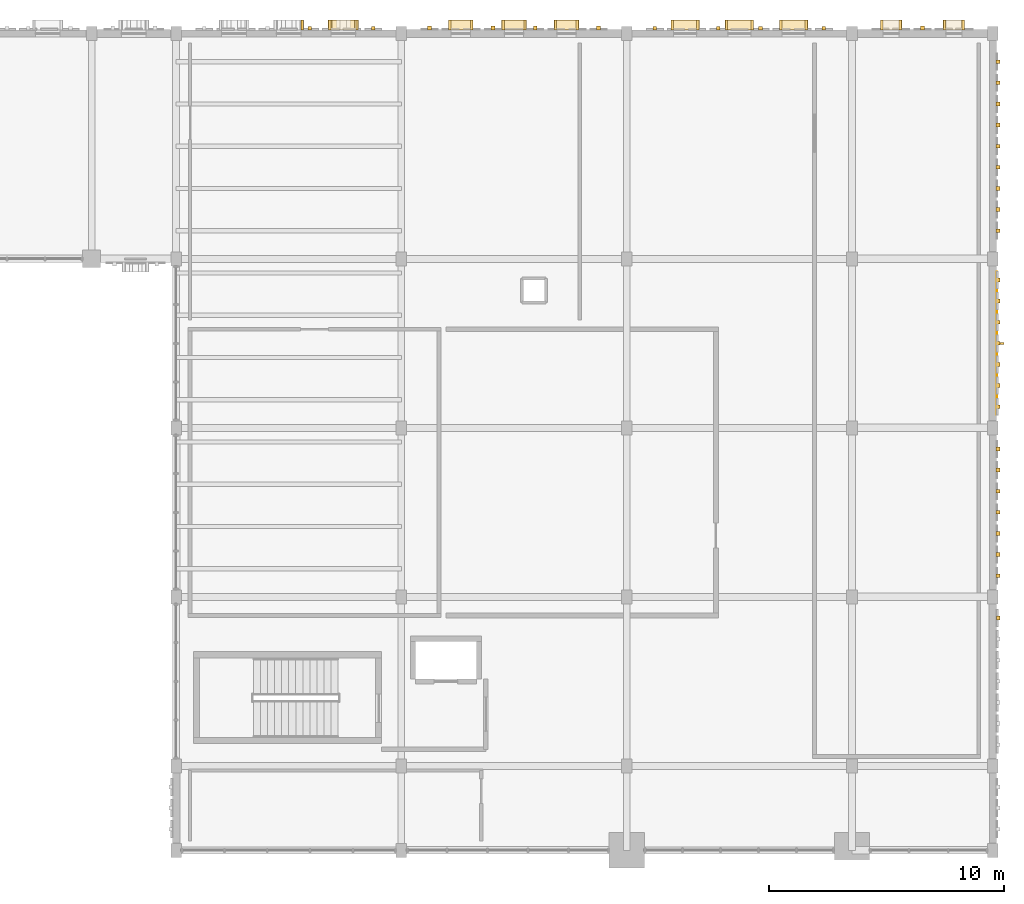
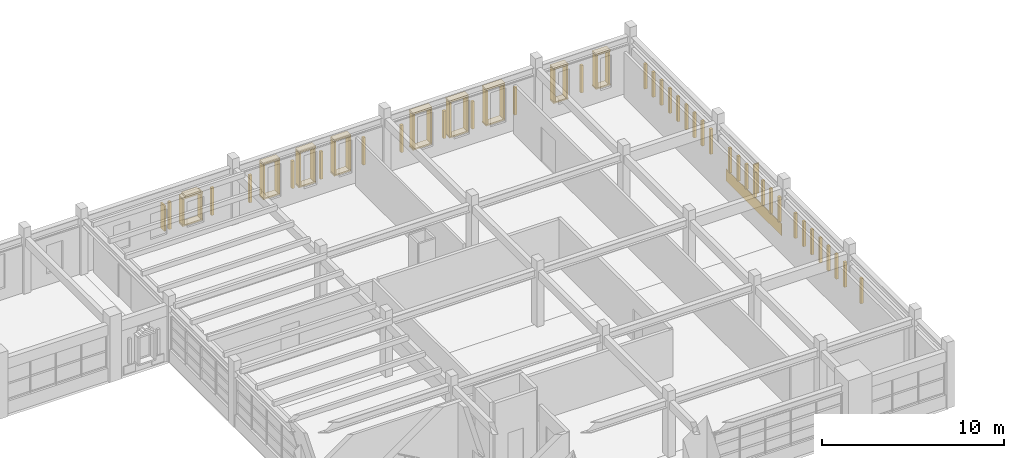
# One storey, part 63 of 69: 74 coverings, 1 shading device.
"""IFC4 building model written with IfcOpenShell, lengths in metres."""

from ifc_helpers import new_model, si_unit, direction, frame, origin, origin_2d, place, context, subcontext, project, spatial, rectangle, extrude, material, layer, layer_set, type_object, element, save


model = new_model("IFC4")

# Units and contexts
model_context = context("Model", 3, precision=1e-05, world=origin(), true_north=direction((0.0, 1.0)))
body_context = subcontext(model_context, "Body", "Model", "MODEL_VIEW")
ifc_project = project(units=[si_unit("LENGTHUNIT", "METRE"), si_unit("AREAUNIT", "SQUARE_METRE"), si_unit("VOLUMEUNIT", "CUBIC_METRE"), si_unit("PLANEANGLEUNIT", "RADIAN"), si_unit("MASSUNIT", "GRAM", prefix="KILO")], contexts=[model_context])

# Site, building, storey
site_placement = place(None, origin())
site = spatial("IfcSite", under=ifc_project, at=site_placement, CompositionType="ELEMENT")
building_placement = place(site_placement, origin())
building = spatial("IfcBuilding", under=site, at=building_placement, Name="Nzembalo Square Collegiate School", CompositionType="ELEMENT")
storey_placement = place(building_placement, frame((0.0, 0.0, 5.10009765625)))
storey = spatial("IfcBuildingStorey", under=building, at=storey_placement, Name="L01", CompositionType="ELEMENT", Elevation=5.10009765625)

# Coverings
ifc_material_1 = material(Name="Glazed cobalt ceramic patterned tile")
ifc_layer_1 = layer(ifc_material_1, 0.074951171875, Name="Glazed cobalt ceramic patterned tile")
ifc_layer_set_1 = layer_set([ifc_layer_1], Name="Glazed cobalt ceramic patterned tile")
covering_type_1 = type_object("IfcCoveringType", Name="CL01", PredefinedType="CLADDING", material=ifc_layer_set_1)
covering_1_placement = place(storey_placement, frame((165.77490234375, 100.800048828125, 0.02001953125), z_axis=(0.0, 0.0, 1.0), x_axis=(1.0, 0.0, 0.0)))
element("IfcCovering", 1, at=covering_1_placement, inside=storey, type_object=covering_type_1, Name="Faience spandrel cladding CL01-0140", PredefinedType="CLADDING", context=body_context, shape_type="SweptSolid", body=[
    extrude(rectangle(XDim=0.034912109375, YDim=6.095947265625, at=origin_2d()), origin(), (0.0, 0.0, 1.0), 0.800048828125),
])
ifc_material_2 = material(Name="Glazed ochre ceramic lancet rib")
ifc_layer_2 = layer(ifc_material_2, 0.159912109375, Name="Glazed ochre ceramic lancet rib")
ifc_layer_set_2 = layer_set([ifc_layer_2], Name="Glazed ochre ceramic lancet rib")
covering_type_2 = type_object("IfcCoveringType", Name="CL02", PredefinedType="CLADDING", material=ifc_layer_set_2)
for number, where, z_axis, x_axis, name in (
    (2, (136.5, 114.219970703125, 0.760009765625), (0.0, 0.0, 1.0), (1.0, 0.0, 0.0), "Gothic ceramic rib CL02-X0133-5"),
    (3, (139.199951171875, 114.219970703125, 0.760009765625), (0.0, 0.0, 1.0), (1.0, 0.0, 0.0), "Gothic ceramic rib CL02-X0133-8"),
    (4, (141.60009765625, 114.22998046875, 0.760009765625), (0.0, 0.0, 1.0), (1.0, 0.0, 0.0), "Gothic ceramic rib CL02-X0134-0"),
    (5, (144.300048828125, 114.22998046875, 0.760009765625), (0.0, 0.0, 1.0), (1.0, 0.0, 0.0), "Gothic ceramic rib CL02-X0134-3"),
    (6, (146.10009765625, 114.22998046875, 0.760009765625), (0.0, 0.0, 1.0), (1.0, 0.0, 0.0), "Gothic ceramic rib CL02-X0134-5"),
    (7, (148.800048828125, 114.22998046875, 0.760009765625), (0.0, 0.0, 1.0), (1.0, 0.0, 0.0), "Gothic ceramic rib CL02-X0134-8"),
    (8, (151.199951171875, 114.219970703125, 0.760009765625), (0.0, 0.0, 1.0), (1.0, 0.0, 0.0), "Gothic ceramic rib CL02-X0135-0"),
    (9, (153.89990234375, 114.219970703125, 0.760009765625), (0.0, 0.0, 1.0), (1.0, 0.0, 0.0), "Gothic ceramic rib CL02-X0135-3"),
    (10, (155.699951171875, 114.219970703125, 0.760009765625), (0.0, 0.0, 1.0), (1.0, 0.0, 0.0), "Gothic ceramic rib CL02-X0135-5"),
    (11, (158.39990234375, 114.219970703125, 0.760009765625), (0.0, 0.0, 1.0), (1.0, 0.0, 0.0), "Gothic ceramic rib CL02-X0135-8"),
    (12, (162.60009765625, 114.22998046875, 0.760009765625), (0.0, 0.0, 1.0), (1.0, 0.0, 0.0), "Gothic ceramic rib CL02-X0136-2"),
):
    element("IfcCovering", number, at=place(storey_placement, frame(where, z_axis=z_axis, x_axis=x_axis)), inside=storey, type_object=covering_type_2, Name=name, PredefinedType="CLADDING", context=body_context, shape_type="SweptSolid", body=[
        extrude(rectangle(XDim=0.159912109375, YDim=0.159912109375, at=origin_2d()), origin(), (0.0, 0.0, 1.0), 1.833984375),
    ])
for number, where, z_axis, x_axis, name in (
    (13, (165.830078125, 89.10009765625, 0.759765625), (0.0, 0.0, 1.0), (1.0, 0.0, 0.0), "Gothic ceramic rib CL02-Y0138-6"),
    (14, (165.820068359375, 90.89990234375, 0.759765625), (0.0, 0.0, 1.0), (1.0, 0.0, 0.0), "Gothic ceramic rib CL02-Y0139-0"),
    (15, (165.820068359375, 91.800048828125, 0.759765625), (0.0, 0.0, 1.0), (1.0, 0.0, 0.0), "Gothic ceramic rib CL02-Y0139-1"),
    (16, (165.820068359375, 92.699951171875, 0.759765625), (0.0, 0.0, 1.0), (1.0, 0.0, 0.0), "Gothic ceramic rib CL02-Y0139-2"),
    (17, (165.820068359375, 93.60009765625, 0.759765625), (0.0, 0.0, 1.0), (1.0, 0.0, 0.0), "Gothic ceramic rib CL02-Y0139-3"),
    (18, (165.820068359375, 94.5, 0.759765625), (0.0, 0.0, 1.0), (1.0, 0.0, 0.0), "Gothic ceramic rib CL02-Y0139-4"),
    (19, (165.820068359375, 95.39990234375, 0.759765625), (0.0, 0.0, 1.0), (1.0, 0.0, 0.0), "Gothic ceramic rib CL02-Y0139-5"),
    (20, (165.820068359375, 96.300048828125, 0.759765625), (0.0, 0.0, 1.0), (1.0, 0.0, 0.0), "Gothic ceramic rib CL02-Y0139-6"),
    (21, (165.830078125, 98.10009765625, 0.759765625), (0.0, 0.0, 1.0), (1.0, 0.0, 0.0), "Gothic ceramic rib CL02-Y0140-0"),
    (22, (165.830078125, 99.0, 0.759765625), (0.0, 0.0, 1.0), (1.0, 0.0, 0.0), "Gothic ceramic rib CL02-Y0140-1"),
    (23, (165.830078125, 99.89990234375, 0.759765625), (0.0, 0.0, 1.0), (1.0, 0.0, 0.0), "Gothic ceramic rib CL02-Y0140-2"),
    (24, (165.830078125, 100.800048828125, 0.759765625), (0.0, 0.0, 1.0), (1.0, 0.0, 0.0), "Gothic ceramic rib CL02-Y0140-3"),
    (25, (165.830078125, 101.699951171875, 0.759765625), (0.0, 0.0, 1.0), (1.0, 0.0, 0.0), "Gothic ceramic rib CL02-Y0140-4"),
    (26, (165.830078125, 102.60009765625, 0.759765625), (0.0, 0.0, 1.0), (1.0, 0.0, 0.0), "Gothic ceramic rib CL02-Y0140-5"),
    (27, (165.830078125, 103.5, 0.759765625), (0.0, 0.0, 1.0), (1.0, 0.0, 0.0), "Gothic ceramic rib CL02-Y0140-6"),
    (28, (165.820068359375, 105.60009765625, 0.759765625), (0.0, 0.0, 1.0), (1.0, 0.0, 0.0), "Gothic ceramic rib CL02-Y0141-0"),
    (29, (165.820068359375, 106.5, 0.759765625), (0.0, 0.0, 1.0), (1.0, 0.0, 0.0), "Gothic ceramic rib CL02-Y0141-1"),
    (30, (165.820068359375, 107.39990234375, 0.759765625), (0.0, 0.0, 1.0), (1.0, 0.0, 0.0), "Gothic ceramic rib CL02-Y0141-2"),
    (31, (165.820068359375, 108.300048828125, 0.759765625), (0.0, 0.0, 1.0), (1.0, 0.0, 0.0), "Gothic ceramic rib CL02-Y0141-3"),
    (32, (165.820068359375, 109.199951171875, 0.759765625), (0.0, 0.0, 1.0), (1.0, 0.0, 0.0), "Gothic ceramic rib CL02-Y0141-4"),
    (33, (165.820068359375, 110.10009765625, 0.759765625), (0.0, 0.0, 1.0), (1.0, 0.0, 0.0), "Gothic ceramic rib CL02-Y0141-5"),
    (34, (165.820068359375, 111.0, 0.759765625), (0.0, 0.0, 1.0), (1.0, 0.0, 0.0), "Gothic ceramic rib CL02-Y0141-6"),
    (35, (165.820068359375, 111.89990234375, 0.759765625), (0.0, 0.0, 1.0), (1.0, 0.0, 0.0), "Gothic ceramic rib CL02-Y0141-7"),
    (36, (165.820068359375, 112.800048828125, 0.759765625), (0.0, 0.0, 1.0), (1.0, 0.0, 0.0), "Gothic ceramic rib CL02-Y0141-8"),
):
    element("IfcCovering", number, at=place(storey_placement, frame(where, z_axis=z_axis, x_axis=x_axis)), inside=storey, type_object=covering_type_2, Name=name, PredefinedType="CLADDING", context=body_context, shape_type="SweptSolid", body=[
        extrude(rectangle(XDim=0.159912109375, YDim=0.159912109375, at=origin_2d()), origin(), (0.0, 0.0, 1.0), 1.674072265625),
    ])
ifc_material_3 = material(Name="Glazed celadon ceramic window frame")
ifc_layer_3 = layer(ifc_material_3, 0.419921875, Name="Glazed celadon ceramic window frame")
ifc_layer_set_3 = layer_set([ifc_layer_3], Name="Glazed celadon ceramic window frame")
covering_type_3 = type_object("IfcCoveringType", Name="WF01", PredefinedType="CLADDING", material=ifc_layer_set_3)
covering_2_placement = place(storey_placement, frame((136.179931640625, 114.35498046875, 0.75), z_axis=(0.0, 0.0, 1.0), x_axis=(1.0, 0.0, 0.0)))
element("IfcCovering", 37, at=covering_2_placement, inside=storey, type_object=covering_type_3, Name="Deep lancet window jamb WF01-0310R", PredefinedType="CLADDING", context=body_context, shape_type="SweptSolid", body=[
    extrude(rectangle(XDim=0.10009765625, YDim=0.419921875, at=origin_2d()), origin(), (0.0, 0.0, 1.0), 1.699951171875),
])
covering_3_placement = place(storey_placement, frame((137.928955078125, 114.35498046875, 2.455078125), z_axis=(0.0, 0.0, 1.0), x_axis=(1.0, 0.0, 0.0)))
element("IfcCovering", 38, at=covering_3_placement, inside=storey, type_object=covering_type_3, Name="Deep lancet window hood WF01-0311", PredefinedType="CLADDING", context=body_context, shape_type="SweptSolid", body=[
    extrude(rectangle(XDim=1.2900390625, YDim=0.419921875, at=origin_2d()), origin(), (0.0, 0.0, 1.0), 0.110107421875),
])
covering_4_placement = place(storey_placement, frame((137.928955078125, 114.35498046875, 2.559814453125), z_axis=(0.0, 0.0, 1.0), x_axis=(1.0, 0.0, 0.0)))
element("IfcCovering", 39, at=covering_4_placement, inside=storey, type_object=covering_type_3, Name="Pointed lancet gable WF01-0311-1", PredefinedType="CLADDING", context=body_context, shape_type="SweptSolid", body=[
    extrude(rectangle(XDim=0.949951171875, YDim=0.419921875, at=origin_2d()), origin(), (0.0, 0.0, 1.0), 0.1201171875),
])
covering_5_placement = place(storey_placement, frame((137.928955078125, 114.35498046875, 0.65478515625), z_axis=(0.0, 0.0, 1.0), x_axis=(1.0, 0.0, 0.0)))
element("IfcCovering", 40, at=covering_5_placement, inside=storey, type_object=covering_type_3, Name="Deep lancet window sill WF01-0311", PredefinedType="CLADDING", context=body_context, shape_type="SweptSolid", body=[
    extrude(rectangle(XDim=1.2900390625, YDim=0.419921875, at=origin_2d()), origin(), (0.0, 0.0, 1.0), 0.090087890625),
])
for number, where, z_axis, x_axis, name in (
    (41, (137.34912109375, 114.35498046875, 0.75), (0.0, 0.0, 1.0), (1.0, 0.0, 0.0), "Deep lancet window jamb WF01-0311L"),
    (42, (138.509033203125, 114.35498046875, 0.75), (0.0, 0.0, 1.0), (1.0, 0.0, 0.0), "Deep lancet window jamb WF01-0311R"),
):
    element("IfcCovering", number, at=place(storey_placement, frame(where, z_axis=z_axis, x_axis=x_axis)), inside=storey, type_object=covering_type_3, Name=name, PredefinedType="CLADDING", context=body_context, shape_type="SweptSolid", body=[
        extrude(rectangle(XDim=0.10009765625, YDim=0.419921875, at=origin_2d()), origin(), (0.0, 0.0, 1.0), 1.699951171875),
    ])
covering_6_placement = place(storey_placement, frame((142.928466796875, 114.364990234375, 2.974609375), z_axis=(0.0, 0.0, 1.0), x_axis=(1.0, 0.0, 0.0)))
element("IfcCovering", 43, at=covering_6_placement, inside=storey, type_object=covering_type_3, Name="Deep lancet window hood WF01-0332", PredefinedType="CLADDING", context=body_context, shape_type="SweptSolid", body=[
    extrude(rectangle(XDim=1.06005859375, YDim=0.419921875, at=origin_2d()), origin(), (0.0, 0.0, 1.0), 0.110107421875),
])
covering_7_placement = place(storey_placement, frame((142.928466796875, 114.364990234375, 0.65478515625), z_axis=(0.0, 0.0, 1.0), x_axis=(1.0, 0.0, 0.0)))
element("IfcCovering", 44, at=covering_7_placement, inside=storey, type_object=covering_type_3, Name="Deep lancet window sill WF01-0332", PredefinedType="CLADDING", context=body_context, shape_type="SweptSolid", body=[
    extrude(rectangle(XDim=1.06005859375, YDim=0.419921875, at=origin_2d()), origin(), (0.0, 0.0, 1.0), 0.090087890625),
])
for number, where, z_axis, x_axis, name in (
    (45, (142.46337890625, 114.364990234375, 0.75), (0.0, 0.0, 1.0), (1.0, 0.0, 0.0), "Deep lancet window jamb WF01-0332L"),
    (46, (143.3935546875, 114.364990234375, 0.75), (0.0, 0.0, 1.0), (1.0, 0.0, 0.0), "Deep lancet window jamb WF01-0332R"),
):
    element("IfcCovering", number, at=place(storey_placement, frame(where, z_axis=z_axis, x_axis=x_axis)), inside=storey, type_object=covering_type_3, Name=name, PredefinedType="CLADDING", context=body_context, shape_type="SweptSolid", body=[
        extrude(rectangle(XDim=0.10009765625, YDim=0.419921875, at=origin_2d()), origin(), (0.0, 0.0, 1.0), 2.219970703125),
    ])
covering_8_placement = place(storey_placement, frame((145.199951171875, 114.364990234375, 2.974609375), z_axis=(0.0, 0.0, 1.0), x_axis=(1.0, 0.0, 0.0)))
element("IfcCovering", 47, at=covering_8_placement, inside=storey, type_object=covering_type_3, Name="Deep lancet window hood WF01-0333", PredefinedType="CLADDING", context=body_context, shape_type="SweptSolid", body=[
    extrude(rectangle(XDim=1.06005859375, YDim=0.419921875, at=origin_2d()), origin(), (0.0, 0.0, 1.0), 0.110107421875),
])
covering_9_placement = place(storey_placement, frame((145.199951171875, 114.364990234375, 0.65478515625), z_axis=(0.0, 0.0, 1.0), x_axis=(1.0, 0.0, 0.0)))
element("IfcCovering", 48, at=covering_9_placement, inside=storey, type_object=covering_type_3, Name="Deep lancet window sill WF01-0333", PredefinedType="CLADDING", context=body_context, shape_type="SweptSolid", body=[
    extrude(rectangle(XDim=1.06005859375, YDim=0.419921875, at=origin_2d()), origin(), (0.0, 0.0, 1.0), 0.090087890625),
])
for number, where, z_axis, x_axis, name in (
    (49, (144.735107421875, 114.364990234375, 0.75), (0.0, 0.0, 1.0), (1.0, 0.0, 0.0), "Deep lancet window jamb WF01-0333L"),
    (50, (145.6650390625, 114.364990234375, 0.75), (0.0, 0.0, 1.0), (1.0, 0.0, 0.0), "Deep lancet window jamb WF01-0333R"),
):
    element("IfcCovering", number, at=place(storey_placement, frame(where, z_axis=z_axis, x_axis=x_axis)), inside=storey, type_object=covering_type_3, Name=name, PredefinedType="CLADDING", context=body_context, shape_type="SweptSolid", body=[
        extrude(rectangle(XDim=0.10009765625, YDim=0.419921875, at=origin_2d()), origin(), (0.0, 0.0, 1.0), 2.219970703125),
    ])
covering_10_placement = place(storey_placement, frame((147.429931640625, 114.364990234375, 2.974609375), z_axis=(0.0, 0.0, 1.0), x_axis=(1.0, 0.0, 0.0)))
element("IfcCovering", 51, at=covering_10_placement, inside=storey, type_object=covering_type_3, Name="Deep lancet window hood WF01-0334", PredefinedType="CLADDING", context=body_context, shape_type="SweptSolid", body=[
    extrude(rectangle(XDim=1.06005859375, YDim=0.419921875, at=origin_2d()), origin(), (0.0, 0.0, 1.0), 0.110107421875),
])
covering_11_placement = place(storey_placement, frame((147.429931640625, 114.364990234375, 0.65478515625), z_axis=(0.0, 0.0, 1.0), x_axis=(1.0, 0.0, 0.0)))
element("IfcCovering", 52, at=covering_11_placement, inside=storey, type_object=covering_type_3, Name="Deep lancet window sill WF01-0334", PredefinedType="CLADDING", context=body_context, shape_type="SweptSolid", body=[
    extrude(rectangle(XDim=1.06005859375, YDim=0.419921875, at=origin_2d()), origin(), (0.0, 0.0, 1.0), 0.090087890625),
])
for number, where, z_axis, x_axis, name in (
    (53, (146.965087890625, 114.364990234375, 0.75), (0.0, 0.0, 1.0), (1.0, 0.0, 0.0), "Deep lancet window jamb WF01-0334L"),
    (54, (147.89501953125, 114.364990234375, 0.75), (0.0, 0.0, 1.0), (1.0, 0.0, 0.0), "Deep lancet window jamb WF01-0334R"),
):
    element("IfcCovering", number, at=place(storey_placement, frame(where, z_axis=z_axis, x_axis=x_axis)), inside=storey, type_object=covering_type_3, Name=name, PredefinedType="CLADDING", context=body_context, shape_type="SweptSolid", body=[
        extrude(rectangle(XDim=0.10009765625, YDim=0.419921875, at=origin_2d()), origin(), (0.0, 0.0, 1.0), 2.219970703125),
    ])
covering_12_placement = place(storey_placement, frame((152.488525390625, 114.35498046875, 3.03466796875), z_axis=(0.0, 0.0, 1.0), x_axis=(1.0, 0.0, 0.0)))
element("IfcCovering", 55, at=covering_12_placement, inside=storey, type_object=covering_type_3, Name="Deep lancet window hood WF01-0335", PredefinedType="CLADDING", context=body_context, shape_type="SweptSolid", body=[
    extrude(rectangle(XDim=1.219970703125, YDim=0.419921875, at=origin_2d()), origin(), (0.0, 0.0, 1.0), 0.110107421875),
])
covering_13_placement = place(storey_placement, frame((152.488525390625, 114.35498046875, 0.65478515625), z_axis=(0.0, 0.0, 1.0), x_axis=(1.0, 0.0, 0.0)))
element("IfcCovering", 56, at=covering_13_placement, inside=storey, type_object=covering_type_3, Name="Deep lancet window sill WF01-0335", PredefinedType="CLADDING", context=body_context, shape_type="SweptSolid", body=[
    extrude(rectangle(XDim=1.219970703125, YDim=0.419921875, at=origin_2d()), origin(), (0.0, 0.0, 1.0), 0.090087890625),
])
for number, where, z_axis, x_axis, name in (
    (57, (151.943603515625, 114.35498046875, 0.75), (0.0, 0.0, 1.0), (1.0, 0.0, 0.0), "Deep lancet window jamb WF01-0335L"),
    (58, (153.033447265625, 114.35498046875, 0.75), (0.0, 0.0, 1.0), (1.0, 0.0, 0.0), "Deep lancet window jamb WF01-0335R"),
):
    element("IfcCovering", number, at=place(storey_placement, frame(where, z_axis=z_axis, x_axis=x_axis)), inside=storey, type_object=covering_type_3, Name=name, PredefinedType="CLADDING", context=body_context, shape_type="SweptSolid", body=[
        extrude(rectangle(XDim=0.10009765625, YDim=0.419921875, at=origin_2d()), origin(), (0.0, 0.0, 1.0), 2.280029296875),
    ])
covering_14_placement = place(storey_placement, frame((154.800048828125, 114.35498046875, 3.03466796875), z_axis=(0.0, 0.0, 1.0), x_axis=(1.0, 0.0, 0.0)))
element("IfcCovering", 59, at=covering_14_placement, inside=storey, type_object=covering_type_3, Name="Deep lancet window hood WF01-0336", PredefinedType="CLADDING", context=body_context, shape_type="SweptSolid", body=[
    extrude(rectangle(XDim=1.219970703125, YDim=0.419921875, at=origin_2d()), origin(), (0.0, 0.0, 1.0), 0.110107421875),
])
covering_15_placement = place(storey_placement, frame((154.800048828125, 114.35498046875, 0.65478515625), z_axis=(0.0, 0.0, 1.0), x_axis=(1.0, 0.0, 0.0)))
element("IfcCovering", 60, at=covering_15_placement, inside=storey, type_object=covering_type_3, Name="Deep lancet window sill WF01-0336", PredefinedType="CLADDING", context=body_context, shape_type="SweptSolid", body=[
    extrude(rectangle(XDim=1.219970703125, YDim=0.419921875, at=origin_2d()), origin(), (0.0, 0.0, 1.0), 0.090087890625),
])
for number, where, z_axis, x_axis, name in (
    (61, (154.2548828125, 114.35498046875, 0.75), (0.0, 0.0, 1.0), (1.0, 0.0, 0.0), "Deep lancet window jamb WF01-0336L"),
    (62, (155.344970703125, 114.35498046875, 0.75), (0.0, 0.0, 1.0), (1.0, 0.0, 0.0), "Deep lancet window jamb WF01-0336R"),
):
    element("IfcCovering", number, at=place(storey_placement, frame(where, z_axis=z_axis, x_axis=x_axis)), inside=storey, type_object=covering_type_3, Name=name, PredefinedType="CLADDING", context=body_context, shape_type="SweptSolid", body=[
        extrude(rectangle(XDim=0.10009765625, YDim=0.419921875, at=origin_2d()), origin(), (0.0, 0.0, 1.0), 2.280029296875),
    ])
covering_16_placement = place(storey_placement, frame((157.111572265625, 114.35498046875, 3.03466796875), z_axis=(0.0, 0.0, 1.0), x_axis=(1.0, 0.0, 0.0)))
element("IfcCovering", 63, at=covering_16_placement, inside=storey, type_object=covering_type_3, Name="Deep lancet window hood WF01-0337", PredefinedType="CLADDING", context=body_context, shape_type="SweptSolid", body=[
    extrude(rectangle(XDim=1.219970703125, YDim=0.419921875, at=origin_2d()), origin(), (0.0, 0.0, 1.0), 0.110107421875),
])
covering_17_placement = place(storey_placement, frame((157.111572265625, 114.35498046875, 0.65478515625), z_axis=(0.0, 0.0, 1.0), x_axis=(1.0, 0.0, 0.0)))
element("IfcCovering", 64, at=covering_17_placement, inside=storey, type_object=covering_type_3, Name="Deep lancet window sill WF01-0337", PredefinedType="CLADDING", context=body_context, shape_type="SweptSolid", body=[
    extrude(rectangle(XDim=1.219970703125, YDim=0.419921875, at=origin_2d()), origin(), (0.0, 0.0, 1.0), 0.090087890625),
])
for number, where, z_axis, x_axis, name in (
    (65, (156.56640625, 114.35498046875, 0.75), (0.0, 0.0, 1.0), (1.0, 0.0, 0.0), "Deep lancet window jamb WF01-0337L"),
    (66, (157.656494140625, 114.35498046875, 0.75), (0.0, 0.0, 1.0), (1.0, 0.0, 0.0), "Deep lancet window jamb WF01-0337R"),
):
    element("IfcCovering", number, at=place(storey_placement, frame(where, z_axis=z_axis, x_axis=x_axis)), inside=storey, type_object=covering_type_3, Name=name, PredefinedType="CLADDING", context=body_context, shape_type="SweptSolid", body=[
        extrude(rectangle(XDim=0.10009765625, YDim=0.419921875, at=origin_2d()), origin(), (0.0, 0.0, 1.0), 2.280029296875),
    ])
covering_18_placement = place(storey_placement, frame((161.263427734375, 114.364990234375, 2.9150390625), z_axis=(0.0, 0.0, 1.0), x_axis=(1.0, 0.0, 0.0)))
element("IfcCovering", 67, at=covering_18_placement, inside=storey, type_object=covering_type_3, Name="Deep lancet window hood WF01-0354", PredefinedType="CLADDING", context=body_context, shape_type="SweptSolid", body=[
    extrude(rectangle(XDim=0.919921875, YDim=0.419921875, at=origin_2d()), origin(), (0.0, 0.0, 1.0), 0.110107421875),
])
covering_19_placement = place(storey_placement, frame((161.263427734375, 114.364990234375, 0.65478515625), z_axis=(0.0, 0.0, 1.0), x_axis=(1.0, 0.0, 0.0)))
element("IfcCovering", 68, at=covering_19_placement, inside=storey, type_object=covering_type_3, Name="Deep lancet window sill WF01-0354", PredefinedType="CLADDING", context=body_context, shape_type="SweptSolid", body=[
    extrude(rectangle(XDim=0.919921875, YDim=0.419921875, at=origin_2d()), origin(), (0.0, 0.0, 1.0), 0.090087890625),
])
for number, where, z_axis, x_axis, name in (
    (69, (160.868408203125, 114.364990234375, 0.75), (0.0, 0.0, 1.0), (1.0, 0.0, 0.0), "Deep lancet window jamb WF01-0354L"),
    (70, (161.658447265625, 114.364990234375, 0.75), (0.0, 0.0, 1.0), (1.0, 0.0, 0.0), "Deep lancet window jamb WF01-0354R"),
):
    element("IfcCovering", number, at=place(storey_placement, frame(where, z_axis=z_axis, x_axis=x_axis)), inside=storey, type_object=covering_type_3, Name=name, PredefinedType="CLADDING", context=body_context, shape_type="SweptSolid", body=[
        extrude(rectangle(XDim=0.10009765625, YDim=0.419921875, at=origin_2d()), origin(), (0.0, 0.0, 1.0), 2.159912109375),
    ])
covering_20_placement = place(storey_placement, frame((163.9365234375, 114.364990234375, 2.9150390625), z_axis=(0.0, 0.0, 1.0), x_axis=(1.0, 0.0, 0.0)))
element("IfcCovering", 71, at=covering_20_placement, inside=storey, type_object=covering_type_3, Name="Deep lancet window hood WF01-0355", PredefinedType="CLADDING", context=body_context, shape_type="SweptSolid", body=[
    extrude(rectangle(XDim=0.919921875, YDim=0.419921875, at=origin_2d()), origin(), (0.0, 0.0, 1.0), 0.110107421875),
])
covering_21_placement = place(storey_placement, frame((163.9365234375, 114.364990234375, 0.65478515625), z_axis=(0.0, 0.0, 1.0), x_axis=(1.0, 0.0, 0.0)))
element("IfcCovering", 72, at=covering_21_placement, inside=storey, type_object=covering_type_3, Name="Deep lancet window sill WF01-0355", PredefinedType="CLADDING", context=body_context, shape_type="SweptSolid", body=[
    extrude(rectangle(XDim=0.919921875, YDim=0.419921875, at=origin_2d()), origin(), (0.0, 0.0, 1.0), 0.090087890625),
])
for number, where, z_axis, x_axis, name in (
    (73, (163.54150390625, 114.364990234375, 0.75), (0.0, 0.0, 1.0), (1.0, 0.0, 0.0), "Deep lancet window jamb WF01-0355L"),
    (74, (164.33154296875, 114.364990234375, 0.75), (0.0, 0.0, 1.0), (1.0, 0.0, 0.0), "Deep lancet window jamb WF01-0355R"),
):
    element("IfcCovering", number, at=place(storey_placement, frame(where, z_axis=z_axis, x_axis=x_axis)), inside=storey, type_object=covering_type_3, Name=name, PredefinedType="CLADDING", context=body_context, shape_type="SweptSolid", body=[
        extrude(rectangle(XDim=0.10009765625, YDim=0.419921875, at=origin_2d()), origin(), (0.0, 0.0, 1.0), 2.159912109375),
    ])

# Shading device
ifc_material_4 = material(Name="Glazed ochre ceramic vertical fin")
shading_device_type = type_object("IfcShadingDeviceType", Name="JL01", PredefinedType="JALOUSIE", material=ifc_material_4)
shading_device_placement = place(storey_placement, frame((165.9150390625, 100.800048828125, 0.949951171875), z_axis=(0.0, 0.0, 1.0), x_axis=(1.0, 0.0, 0.0)))
element("IfcShadingDevice", 75, at=shading_device_placement, inside=storey, type_object=shading_device_type, Name="Ceramic fin JL01-0140", PredefinedType="JALOUSIE", context=body_context, shape_type="SweptSolid", body=[
    extrude(rectangle(XDim=0.320068359375, YDim=0.090087890625, at=origin_2d()), origin(), (0.0, 0.0, 1.0), 2.02392578125),
])

save(model, "model.ifc")
